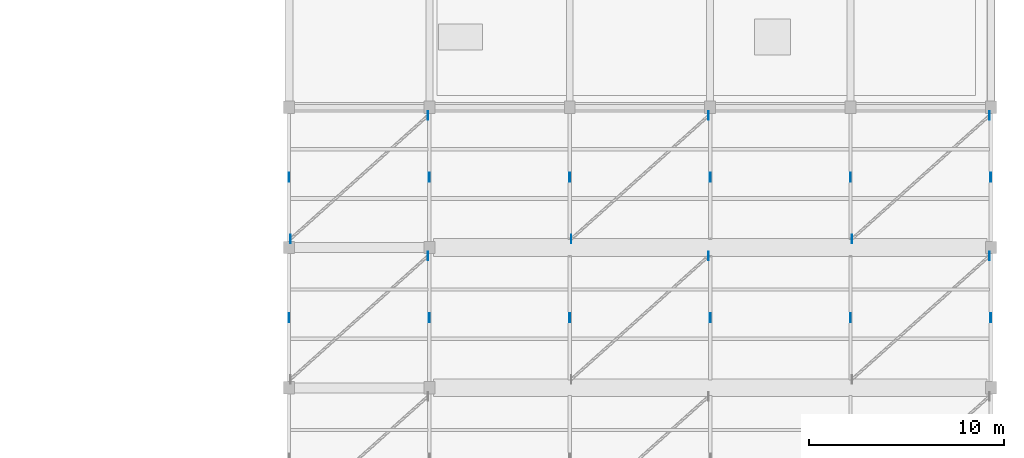
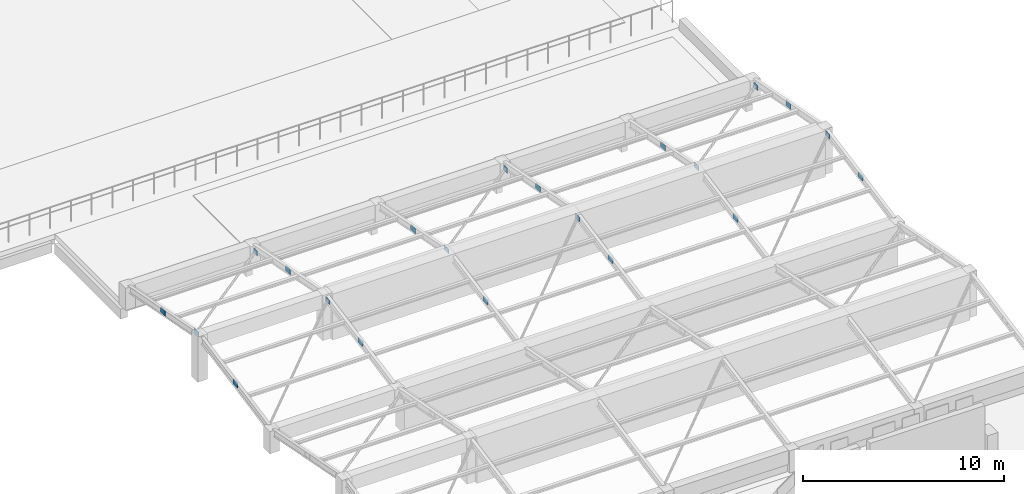
# One storey, part 54 of 72: 21 plates.
"""IFC4 building model written with IfcOpenShell, lengths in metres."""

from ifc_helpers import new_model, si_unit, direction, frame, origin, origin_2d, place, context, subcontext, project, spatial, rectangle, extrude, material, layer, layer_set, type_object, element, save


model = new_model("IFC4")

# Units and contexts
model_context = context("Model", 3, precision=1e-05, world=origin(), true_north=direction((0.0, 1.0)))
body_context = subcontext(model_context, "Body", "Model", "MODEL_VIEW")
ifc_project = project(units=[si_unit("LENGTHUNIT", "METRE"), si_unit("AREAUNIT", "SQUARE_METRE"), si_unit("VOLUMEUNIT", "CUBIC_METRE"), si_unit("PLANEANGLEUNIT", "RADIAN"), si_unit("MASSUNIT", "GRAM", prefix="KILO")], contexts=[model_context])

# Site, building, storey
site_placement = place(None, origin())
site = spatial("IfcSite", under=ifc_project, at=site_placement, CompositionType="ELEMENT")
building_placement = place(site_placement, origin())
building = spatial("IfcBuilding", under=site, at=building_placement, Name="Lusvemor Sports Hall", CompositionType="ELEMENT")
storey_placement = place(building_placement, frame((0.0, 0.0, 15.0)))
storey = spatial("IfcBuildingStorey", under=building, at=storey_placement, Name="L03", CompositionType="ELEMENT", Elevation=15.0)

# Plates
ifc_material_1 = material(Name="Steel S355", Category="steel")
ifc_layer_1 = layer(ifc_material_1, 0.02001953125)
ifc_layer_set_1 = layer_set([ifc_layer_1], Name="Steel S355")
plate_type_1 = type_object("IfcPlateType", Name="GUSSET_BRACE_C", PredefinedType="USERDEFINED", material=ifc_layer_set_1)
for number, where, z_axis, x_axis, name in (
    (1, (140.320068359375, 67.9599609375, 2.324951171875), (0.0, 0.0, 1.0), (1.0, 0.0, 0.0), "Climbing Roof Brace Gusset 15-3-1"),
    (2, (154.719970703125, 67.9599609375, 2.324951171875), (0.0, 0.0, 1.0), (1.0, 0.0, 0.0), "Climbing Roof Brace Gusset 17-3-1"),
    (3, (169.1201171875, 67.9599609375, 2.324951171875), (0.0, 0.0, 1.0), (1.0, 0.0, 0.0), "Climbing Roof Brace Gusset 19-3-1"),
    (4, (133.280029296875, 68.840087890625, 2.324951171875), (0.0, 0.0, 1.0), (1.0, 0.0, 0.0), "Climbing Roof Brace Gusset 15-4-0"),
    (5, (140.320068359375, 75.159912109375, 0.925048828125), (0.0, 0.0, 1.0), (1.0, 0.0, 0.0), "Climbing Roof Brace Gusset 15-4-1"),
    (6, (147.679931640625, 68.840087890625, 2.324951171875), (0.0, 0.0, 1.0), (1.0, 0.0, 0.0), "Climbing Roof Brace Gusset 17-4-0"),
    (7, (154.719970703125, 75.159912109375, 0.925048828125), (0.0, 0.0, 1.0), (1.0, 0.0, 0.0), "Climbing Roof Brace Gusset 17-4-1"),
    (8, (162.080078125, 68.840087890625, 2.324951171875), (0.0, 0.0, 1.0), (1.0, 0.0, 0.0), "Climbing Roof Brace Gusset 19-4-0"),
    (9, (169.1201171875, 75.159912109375, 0.925048828125), (0.0, 0.0, 1.0), (1.0, 0.0, 0.0), "Climbing Roof Brace Gusset 19-4-1"),
):
    element("IfcPlate", number, at=place(storey_placement, frame(where, z_axis=z_axis, x_axis=x_axis)), inside=storey, type_object=plate_type_1, Name=name, ObjectType="GUSSET_PLATE", PredefinedType="USERDEFINED", context=body_context, shape_type="SweptSolid", body=[
        extrude(rectangle(XDim=0.02001953125, YDim=0.43994140625, at=origin_2d()), origin(), (0.0, 0.0, 1.0), 0.2900390625),
    ])
ifc_material_2 = material(Name="Steel S355", Category="steel")
ifc_layer_2 = layer(ifc_material_2, 0.050048828125)
ifc_layer_set_2 = layer_set([ifc_layer_2], Name="Steel S355")
plate_type_2 = type_object("IfcPlateType", Name="GUSSET_SAW_E", PredefinedType="USERDEFINED", material=ifc_layer_set_2)
for number, where, z_axis, x_axis, name in (
    (10, (133.199951171875, 64.800048828125, 1.68115234375), (0.0, 0.0, 1.0), (1.0, 0.0, 0.0), "North-Light Rafter Gusset 15-3"),
    (11, (140.39990234375, 64.800048828125, 1.68115234375), (0.0, 0.0, 1.0), (1.0, 0.0, 0.0), "North-Light Rafter Gusset 16-3"),
    (12, (147.60009765625, 64.800048828125, 1.68115234375), (0.0, 0.0, 1.0), (1.0, 0.0, 0.0), "North-Light Rafter Gusset 17-3"),
    (13, (154.800048828125, 64.800048828125, 1.68115234375), (0.0, 0.0, 1.0), (1.0, 0.0, 0.0), "North-Light Rafter Gusset 18-3"),
    (14, (162.0, 64.800048828125, 1.68115234375), (0.0, 0.0, 1.0), (1.0, 0.0, 0.0), "North-Light Rafter Gusset 19-3"),
    (15, (169.199951171875, 64.800048828125, 1.68115234375), (0.0, 0.0, 1.0), (1.0, 0.0, 0.0), "North-Light Rafter Gusset 20-3"),
    (16, (133.199951171875, 72.0, 1.68115234375), (0.0, 0.0, 1.0), (1.0, 0.0, 0.0), "North-Light Rafter Gusset 15-4"),
    (17, (140.39990234375, 72.0, 1.68115234375), (0.0, 0.0, 1.0), (1.0, 0.0, 0.0), "North-Light Rafter Gusset 16-4"),
    (18, (147.60009765625, 72.0, 1.66162109375), (0.0, 0.0, 1.0), (1.0, 0.0, 0.0), "North-Light Rafter Gusset 17-4"),
    (19, (154.800048828125, 72.0, 1.66162109375), (0.0, 0.0, 1.0), (1.0, 0.0, 0.0), "North-Light Rafter Gusset 18-4"),
    (20, (162.0, 72.0, 1.66162109375), (0.0, 0.0, 1.0), (1.0, 0.0, 0.0), "North-Light Rafter Gusset 19-4"),
    (21, (169.199951171875, 72.0, 1.68115234375), (0.0, 0.0, 1.0), (1.0, 0.0, 0.0), "North-Light Rafter Gusset 20-4"),
):
    element("IfcPlate", number, at=place(storey_placement, frame(where, z_axis=z_axis, x_axis=x_axis)), inside=storey, type_object=plate_type_2, Name=name, ObjectType="GUSSET_PLATE", PredefinedType="USERDEFINED", context=body_context, shape_type="SweptSolid", body=[
        extrude(rectangle(XDim=0.050048828125, YDim=0.4599609375, at=origin_2d()), origin(), (0.0, 0.0, 1.0), 0.300048828125),
    ])

save(model, "model.ifc")
